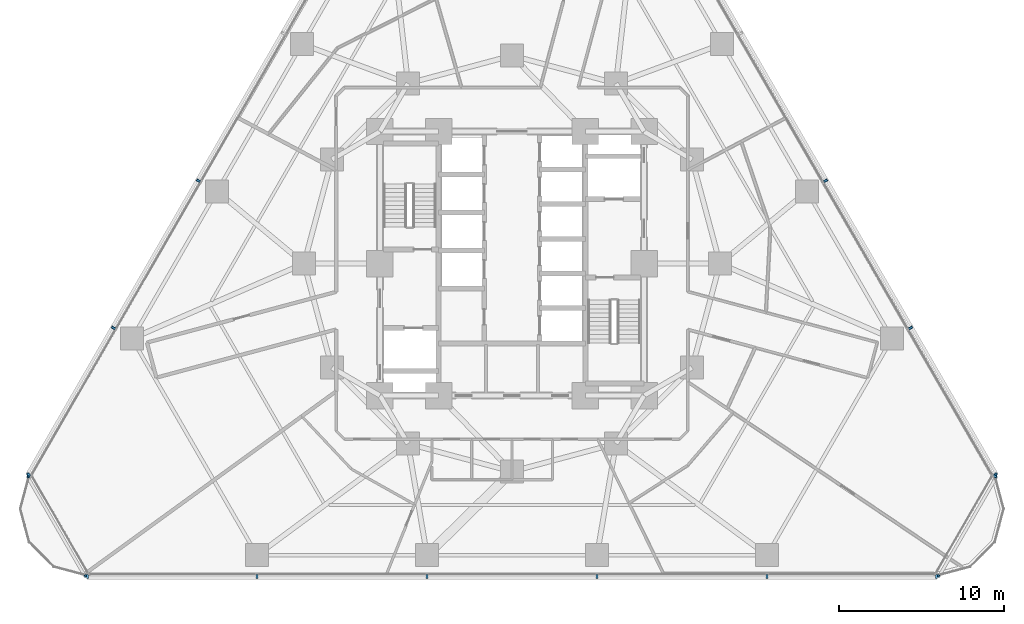
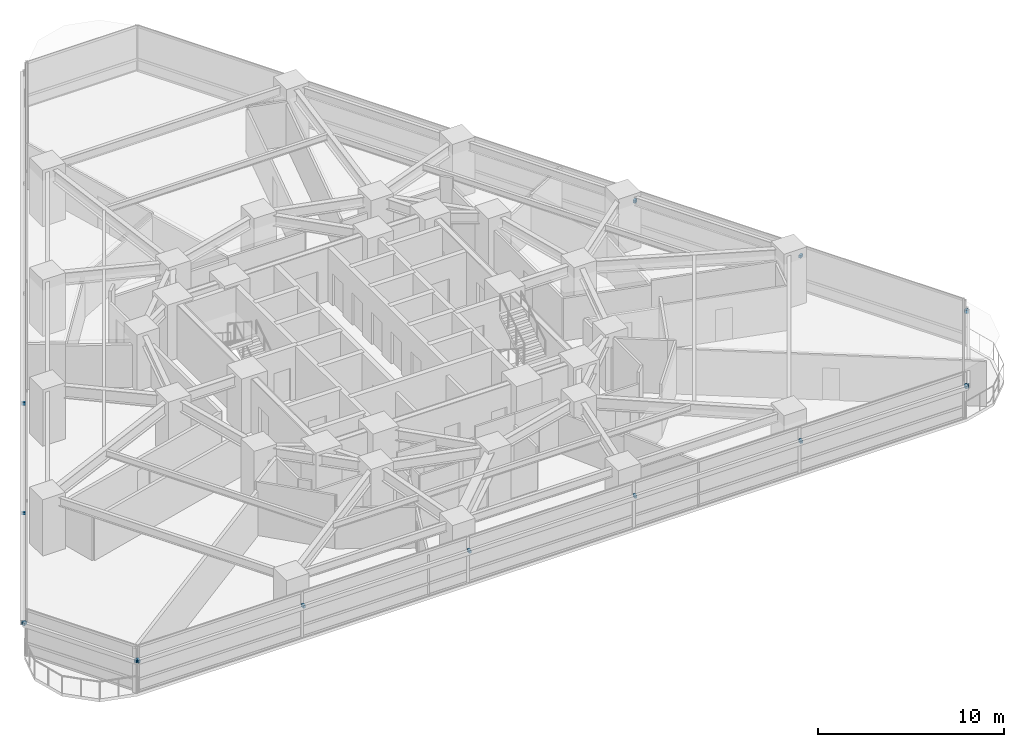
# One storey, part 11 of 16: 16 discrete accessories.
"""IFC4 building model written with IfcOpenShell, lengths in metres."""

import ifcopenshell
import ifcopenshell.guid

model = None  # the IFC model being written
_history = None  # IfcOwnerHistory: only IFC2X3 demands one
_inside = {}  # id of a spatial element -> (the spatial element, [elements in it])
_under = {}  # id of a project, library or spatial element -> (it, [spatial elements below it])
_declared = {}  # id of a project -> (the project, [libraries it declares])
_typed = {}  # id of a type object -> (the type object, [elements of that type])
_made_of = {}  # id of a material, layer set ... -> (it, [elements and type objects made of it])


def new_model(schema):
    """Start an empty IFC model of exactly this schema.

    Asked for "IFC4X3", IfcOpenShell would pick the latest addendum, in which some entities
    have other attributes; the version numbers below select the first issue.
    IFC2X3 requires an IfcOwnerHistory on every rooted entity: one is made here for all.
    """
    global model, _history
    if schema == "IFC4X3":
        model = ifcopenshell.file(schema_version=(4, 3, 0, 0))
    else:
        model = ifcopenshell.file(schema=schema)
    _inside.clear()
    _under.clear()
    _declared.clear()
    _typed.clear()
    _made_of.clear()
    _history = None
    if model.schema == "IFC2X3":
        org = make("IfcOrganization", Name="unknown")
        user = make(
            "IfcPersonAndOrganization",
            ThePerson=make("IfcPerson", FamilyName="unknown"),
            TheOrganization=org,
        )
        app = make(
            "IfcApplication",
            ApplicationDeveloper=org,
            Version="unknown",
            ApplicationFullName="unknown",
            ApplicationIdentifier="unknown",
        )
        _history = make(
            "IfcOwnerHistory",
            OwningUser=user,
            OwningApplication=app,
            ChangeAction="ADDED",
            CreationDate=0,
        )
    return model


def make(cls, **values):
    """One entity of the class cls with the attributes given. An attribute that is None is left unset."""
    return model.create_entity(
        cls, **{name: value for name, value in values.items() if value is not None}
    )


def rooted(cls, **values):
    """An entity with a GlobalId (a new one), such as an element, a storey or a relation."""
    return make(cls, GlobalId=ifcopenshell.guid.new(), OwnerHistory=_history, **values)


def si_unit(unit_type, name, prefix=None):
    """IfcSIUnit, for example si_unit("LENGTHUNIT", "METRE", prefix="MILLI")."""
    return make("IfcSIUnit", UnitType=unit_type, Prefix=prefix, Name=name)


def assignment(units):
    """IfcUnitAssignment: the units of a project."""
    return None if units is None else make("IfcUnitAssignment", Units=units)


def point(xyz):
    """IfcCartesianPoint."""
    return None if xyz is None else make("IfcCartesianPoint", Coordinates=xyz)


def direction(xyz):
    """IfcDirection."""
    return None if xyz is None else make("IfcDirection", DirectionRatios=xyz)


def frame(location, z_axis=None, x_axis=None):
    """IfcAxis2Placement3D, a coordinate frame: its origin and axes. An axis left out is left unset."""
    return make(
        "IfcAxis2Placement3D",
        Location=point(location),
        Axis=direction(z_axis),
        RefDirection=direction(x_axis),
    )


def frame_2d(location, x_axis=None):
    """IfcAxis2Placement2D, a coordinate frame in the plane: its origin and x axis."""
    return make(
        "IfcAxis2Placement2D", Location=point(location), RefDirection=direction(x_axis)
    )


def origin():
    """The frame at (0, 0, 0) with its axes left unset."""
    return frame((0.0, 0.0, 0.0))


def origin_2d():
    """The frame at (0, 0) in the plane with its x axis left unset."""
    return frame_2d((0.0, 0.0))


def place(relative_to, where):
    """IfcLocalPlacement: puts the frame where relative to a parent placement (None: the world)."""
    return make(
        "IfcLocalPlacement", PlacementRelTo=relative_to, RelativePlacement=where
    )


def context(
    kind, dimensions, precision=None, world=None, true_north=None, identifier=None
):
    """IfcGeometricRepresentationContext, for example the 3D "Model" context."""
    return make(
        "IfcGeometricRepresentationContext",
        ContextIdentifier=identifier,
        ContextType=kind,
        CoordinateSpaceDimension=dimensions,
        Precision=precision,
        WorldCoordinateSystem=world,
        TrueNorth=true_north,
    )


def subcontext(parent, identifier, kind, view, scale=None):
    """IfcGeometricRepresentationSubContext, for example "Body" below "Model"."""
    return make(
        "IfcGeometricRepresentationSubContext",
        ContextIdentifier=identifier,
        ContextType=kind,
        ParentContext=parent,
        TargetScale=scale,
        TargetView=view,
    )


def project(units=None, contexts=None):
    """IfcProject with its units and contexts."""
    return rooted(
        "IfcProject",
        Name="project",
        RepresentationContexts=contexts,
        UnitsInContext=assignment(units),
    )


def spatial(cls, under=None, at=None, **own):
    """A site, building, storey or space (cls), placed at a placement, below another one or the project."""
    s = rooted(cls, ObjectPlacement=at, **own)
    if under is not None:
        _under.setdefault(under.id(), (under, []))[1].append(s)
    return s


def profile(cls, at=None, kind="AREA", **sizes):
    """A parametric profile (cls). Its sizes go by their IFC names, for example OverallWidth=200.0."""
    return make(cls, ProfileType=kind, Position=at, **sizes)


def rectangle(**sizes):
    """IfcRectangleProfileDef."""
    return profile("IfcRectangleProfileDef", **sizes)


def extrude(swept, where, along, depth):
    """IfcExtrudedAreaSolid: the profile swept, set in the frame where, extruded along a direction by depth."""
    return make(
        "IfcExtrudedAreaSolid",
        SweptArea=swept,
        Position=where,
        ExtrudedDirection=direction(along),
        Depth=depth,
    )


def shape(context_of_items, identifier, shape_type, items):
    """IfcShapeRepresentation: the items that make up one representation, for example the "Body"."""
    return make(
        "IfcShapeRepresentation",
        ContextOfItems=context_of_items,
        RepresentationIdentifier=identifier,
        RepresentationType=shape_type,
        Items=items,
    )


def material(Name=None, Category=None):
    """IfcMaterial."""
    return make("IfcMaterial", Name=Name, Category=Category)


def made_of(thing, what):
    """Note that an element or type object is made of a material, layer set ...; save() writes the relation."""
    if what is not None:
        _made_of.setdefault(what.id(), (what, []))[1].append(thing)
    return thing


def type_object(cls, material=None, **own):
    """A type object (cls), such as IfcWallType, which elements share."""
    return made_of(rooted(cls, **own), material)


def element(
    cls,
    number,
    at=None,
    inside=None,
    cuts=None,
    type_object=None,
    material=None,
    context=None,
    identifier="Body",
    shape_type=None,
    held_by="IfcProductDefinitionShape",
    body=None,
    shapes=None,
    **own,
):
    """One element of the class cls, such as IfcWall. Its Tag is "e" and its number.

    at: its placement. inside: the storey or other place that contains it. cuts: it is an
    opening in that element (IfcRelVoidsElement). A single representation is given by context,
    identifier, shape_type and body (its items); several are given by shapes. held_by: the class
    of the entity that holds the representations. save() writes the other relations.
    """
    e = rooted(cls, Tag="e%d" % number, ObjectPlacement=at, **own)
    if body is not None:
        shapes = [shape(context, identifier, shape_type, body)]
    if shapes is not None:
        e.Representation = make(held_by, Representations=shapes)
    if inside is not None:
        _inside.setdefault(inside.id(), (inside, []))[1].append(e)
    if cuts is not None:
        rooted(
            "IfcRelVoidsElement", RelatingBuildingElement=cuts, RelatedOpeningElement=e
        )
    if type_object is not None:
        _typed.setdefault(type_object.id(), (type_object, []))[1].append(e)
    return made_of(e, material)


def aggregate(whole, parts):
    """IfcRelAggregates: a whole, such as a stair, and the parts it consists of."""
    return rooted("IfcRelAggregates", RelatingObject=whole, RelatedObjects=parts)


def save(model, path):
    """Write the relations noted so far, then the file.

    IfcRelAggregates (storeys below a building ...), IfcRelContainedInSpatialStructure (elements
    in a storey), IfcRelDefinesByType, IfcRelAssociatesMaterial and IfcRelDeclares: one each for
    every whole, place, type object, material and project.
    """
    for whole, parts in _under.values():
        aggregate(whole, parts)
    for where, things in _inside.values():
        rooted(
            "IfcRelContainedInSpatialStructure",
            RelatedElements=things,
            RelatingStructure=where,
        )
    for kind, things in _typed.values():
        rooted("IfcRelDefinesByType", RelatedObjects=things, RelatingType=kind)
    for what, things in _made_of.values():
        rooted("IfcRelAssociatesMaterial", RelatedObjects=things, RelatingMaterial=what)
    for by, libraries in _declared.values():
        rooted("IfcRelDeclares", RelatingContext=by, RelatedDefinitions=libraries)
    model.write(path)


model = new_model("IFC4")

# Units and contexts
model_context = context("Model", 3, precision=1e-05, world=origin(), true_north=direction((0.0, 1.0)))
body_context = subcontext(model_context, "Body", "Model", "MODEL_VIEW")
ifc_project = project(units=[si_unit("LENGTHUNIT", "METRE"), si_unit("AREAUNIT", "SQUARE_METRE"), si_unit("VOLUMEUNIT", "CUBIC_METRE"), si_unit("PLANEANGLEUNIT", "RADIAN"), si_unit("MASSUNIT", "GRAM", prefix="KILO")], contexts=[model_context])

# Site, building, storey
site_placement = place(None, origin())
site = spatial("IfcSite", under=ifc_project, at=site_placement, CompositionType="ELEMENT")
building_placement = place(site_placement, origin())
building = spatial("IfcBuilding", under=site, at=building_placement, Name="Terralouvre Media Tower", CompositionType="ELEMENT")
storey_placement = place(building_placement, frame((0.0, 0.0, 40.800048828125)))
storey = spatial("IfcBuildingStorey", under=building, at=storey_placement, Name="L09", CompositionType="ELEMENT", Elevation=40.800048828125)

# Discrete accessories
ifc_material = material(Name="Anodised extruded aluminium 6063-T6", Category="aluminium")
discrete_accessory_type = type_object("IfcDiscreteAccessoryType", Name="Mullion Stand-Off Baguette Fixing Bracket BK-01", PredefinedType="BRACKET", material=ifc_material)
for number, where, z_axis, x_axis, name in (
    (1, (-25.71240234375, -18.956787109375, 2.07421875), (0.0, 0.0, 1.0), (1.0, 0.0, 0.0), "CW-L09-F0 Baguette Outrigger Bracket 1.01"),
    (2, (-15.449951171875, -18.956787109375, 2.07421875), (0.0, 0.0, 1.0), (1.0, 0.0, 0.0), "CW-L09-F0 Baguette Outrigger Bracket 1.02"),
    (3, (-5.14990234375, -18.956787109375, 2.07421875), (0.0, 0.0, 1.0), (1.0, 0.0, 0.0), "CW-L09-F0 Baguette Outrigger Bracket 1.03"),
    (4, (5.14990234375, -18.956787109375, 2.07421875), (0.0, 0.0, 1.0), (1.0, 0.0, 0.0), "CW-L09-F0 Baguette Outrigger Bracket 1.04"),
    (5, (15.449951171875, -18.956787109375, 2.07421875), (0.0, 0.0, 1.0), (1.0, 0.0, 0.0), "CW-L09-F0 Baguette Outrigger Bracket 1.05"),
    (6, (25.71240234375, -18.956787109375, 2.07421875), (0.0, 0.0, 1.0), (1.0, 0.0, 0.0), "CW-L09-F0 Baguette Outrigger Bracket 1.06"),
    (7, (29.273193359375, -12.789306640625, 2.07421875), (0.0, 0.0, 1.0), (-0.499999985671, 0.866025412057, 0.0), "CW-L09-F1 Baguette Outrigger Bracket 1.01"),
    (8, (24.14208984375, -3.901611328125, 2.07421875), (0.0, 0.0, 1.0), (-0.499999985671, 0.866025412057, 0.0), "CW-L09-F1 Baguette Outrigger Bracket 1.02"),
    (9, (18.991943359375, 5.018310546875, 2.07421875), (0.0, 0.0, 1.0), (-0.499999985671, 0.866025412057, 0.0), "CW-L09-F1 Baguette Outrigger Bracket 1.03"),
    (10, (-18.991943359375, 5.018310546875, 2.07421875), (0.0, 0.0, 1.0), (-0.499999985671, -0.866025412057, 0.0), "CW-L09-F2 Baguette Outrigger Bracket 1.04"),
    (11, (-24.14208984375, -3.901611328125, 2.07421875), (0.0, 0.0, 1.0), (-0.499999985671, -0.866025412057, 0.0), "CW-L09-F2 Baguette Outrigger Bracket 1.05"),
    (12, (-29.273193359375, -12.789306640625, 2.07421875), (0.0, 0.0, 1.0), (-0.499999985671, -0.866025412057, 0.0), "CW-L09-F2 Baguette Outrigger Bracket 1.06"),
    (13, (-29.255859375, -12.88427734375, 2.07421875), (0.0, 0.0, 1.0), (0.499999691503, -0.866025581895, 0.0), "CW-L09-C0 Baguette Outrigger Bracket 1.01"),
    (14, (-25.7861328125, -18.894287109375, 2.07421875), (0.0, 0.0, 1.0), (0.499999691503, -0.866025581895, 0.0), "CW-L09-C0 Baguette Outrigger Bracket 1.02"),
    (15, (25.7861328125, -18.894287109375, 2.07421875), (0.0, 0.0, 1.0), (0.499999691503, 0.866025581895, 0.0), "CW-L09-C1 Baguette Outrigger Bracket 1.01"),
    (16, (29.255859375, -12.88427734375, 2.07421875), (0.0, 0.0, 1.0), (0.499999691503, 0.866025581895, 0.0), "CW-L09-C1 Baguette Outrigger Bracket 1.02"),
):
    element("IfcDiscreteAccessory", number, at=place(storey_placement, frame(where, z_axis=z_axis, x_axis=x_axis)), inside=storey, type_object=discrete_accessory_type, Name=name, PredefinedType="BRACKET", context=body_context, shape_type="SweptSolid", body=[
        extrude(rectangle(XDim=0.139892578125, YDim=0.239990234375, at=origin_2d()), origin(), (0.0, 0.0, 1.0), 0.179931640625),
    ])

save(model, "model.ifc")
